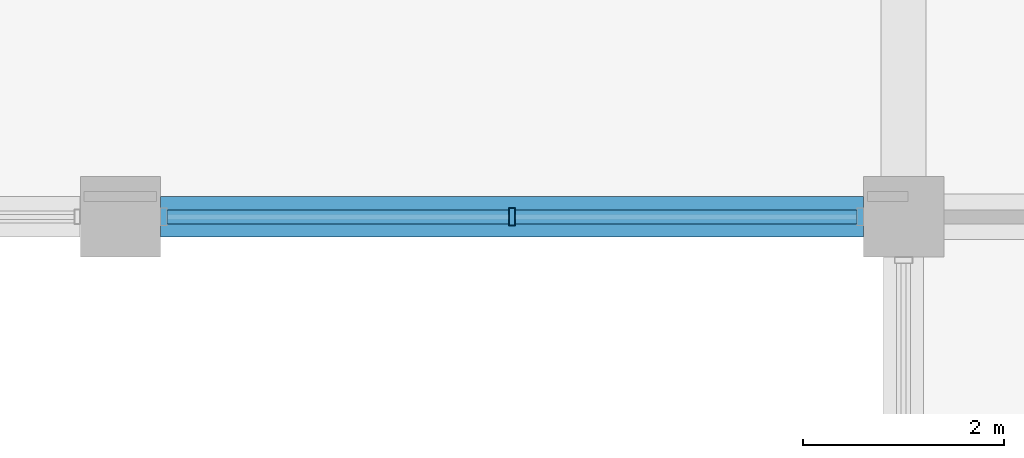
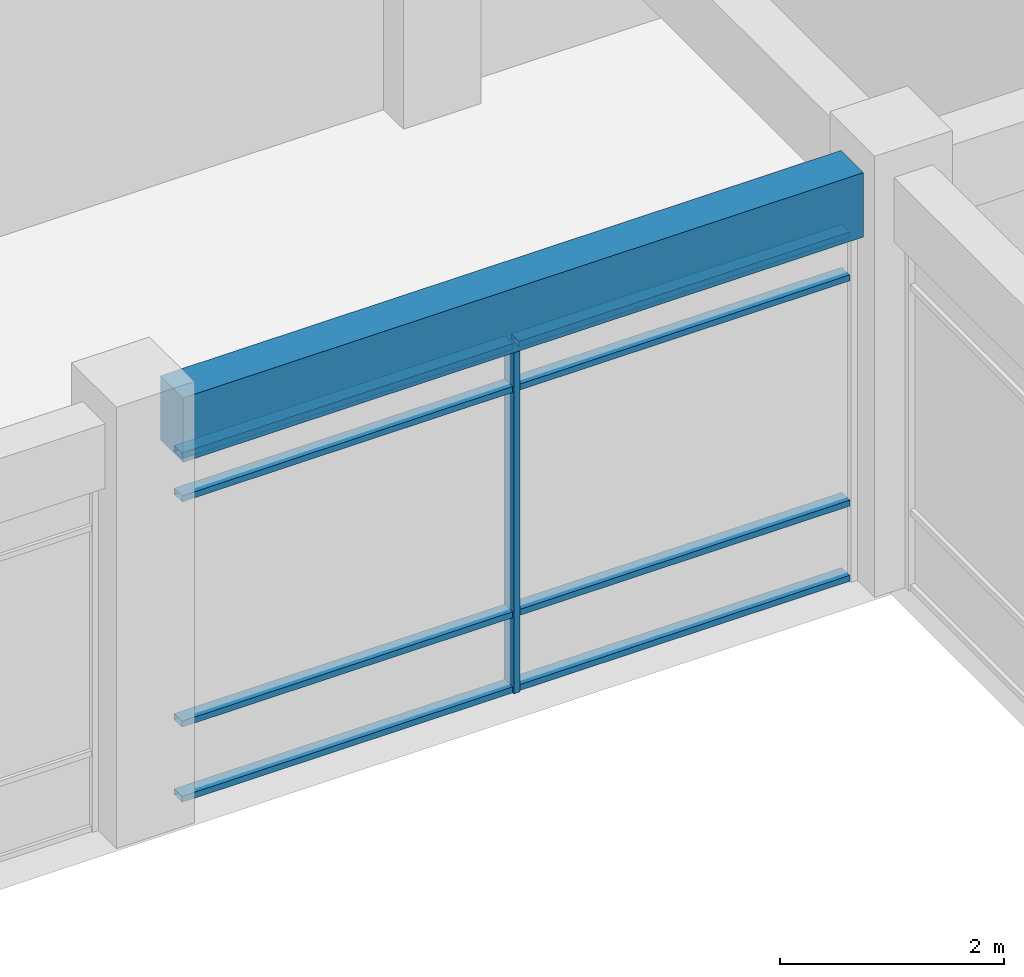
# One storey, part 18 of 62: 9 members, 1 beam, 1 element without a shape of its own.
"""IFC4 building model written with IfcOpenShell, lengths in metres."""

from ifc_helpers import new_model, si_unit, direction, frame, origin, origin_2d, place, context, subcontext, project, spatial, rectangle, hollow_rectangle, extrude, material, material_profile, profile_set, type_object, element, aggregate, save


model = new_model("IFC4")

# Units and contexts
model_context = context("Model", 3, precision=1e-05, world=origin(), true_north=direction((0.0, 1.0)))
body_context = subcontext(model_context, "Body", "Model", "MODEL_VIEW")
ifc_project = project(units=[si_unit("LENGTHUNIT", "METRE"), si_unit("AREAUNIT", "SQUARE_METRE"), si_unit("VOLUMEUNIT", "CUBIC_METRE"), si_unit("PLANEANGLEUNIT", "RADIAN"), si_unit("MASSUNIT", "GRAM", prefix="KILO"), si_unit("THERMODYNAMICTEMPERATUREUNIT", "KELVIN"), si_unit("POWERUNIT", "WATT")], contexts=[model_context])

# Site, building, storey
site_placement = place(None, origin())
site = spatial("IfcSite", under=ifc_project, at=site_placement, CompositionType="ELEMENT")
building_placement = place(site_placement, origin())
building = spatial("IfcBuilding", under=site, at=building_placement, Name="Srebrne Nadtorze General Hospital", CompositionType="ELEMENT")
storey_placement = place(building_placement, frame((0.0, 0.0, 9.60009765625)))
storey = spatial("IfcBuildingStorey", under=building, at=storey_placement, Name="L02", CompositionType="ELEMENT", Elevation=9.60009765625)

# Curtain wall, members
ifc_material_1 = material(Name="Anodised Aluminium", Category="aluminium")
curtain_wall_type = type_object("IfcCurtainWallType", Name="Unitised curtain wall 7000x3800", PredefinedType="NOTDEFINED", material=ifc_material_1)
curtain_wall_placement = place(storey_placement, origin())
curtain_wall = element("IfcCurtainWall", 1, at=curtain_wall_placement, inside=storey, type_object=curtain_wall_type, Name="Curtain wall CW-075", PredefinedType="NOTDEFINED")
ifc_material_2 = material(Name="Anodised Aluminium", Category="aluminium")
ifc_material_profile_1 = material_profile(ifc_material_2, hollow_rectangle(XDim=0.06494140625, YDim=0.179931640625, WallThickness=0.00390625, at=origin_2d()), Name="AL-MUL-65x180")
ifc_profile_set_1 = profile_set([ifc_material_profile_1], Name="Anodised Aluminium")
member_type_1 = type_object("IfcMemberType", Name="Curtain mullion 65x180", PredefinedType="MULLION", material=ifc_profile_set_1)
member_1_placement = place(storey_placement, frame((128.699951171875, 25.199951171875, 0.0), z_axis=(0.0, 0.0, 1.0), x_axis=(1.0, 0.0, 0.0)))
member_1 = element("IfcMember", 2, at=member_1_placement, type_object=member_type_1, Name="CW-075 mullion 2", PredefinedType="MULLION", context=body_context, shape_type="SweptSolid", body=[
    extrude(hollow_rectangle(XDim=0.06494140625, YDim=0.179931640625, WallThickness=0.00390625, at=origin_2d()), origin(), (0.0, 0.0, 1.0), 3.7998046875),
])
ifc_material_3 = material(Name="Anodised Aluminium", Category="aluminium")
ifc_material_profile_2 = material_profile(ifc_material_3, hollow_rectangle(XDim=0.06494140625, YDim=0.139892578125, WallThickness=0.00390625, at=origin_2d()), Name="AL-TRN-65x140")
ifc_profile_set_2 = profile_set([ifc_material_profile_2], Name="Anodised Aluminium")
member_type_2 = type_object("IfcMemberType", Name="Curtain transom 65x140", PredefinedType="USERDEFINED", material=ifc_profile_set_2)
member_2_placement = place(storey_placement, frame((125.264892578125, 25.199951171875, 0.032470703125), z_axis=(1.0, 0.0, 0.0), x_axis=(0.0, 0.0, 1.0)))
member_2 = element("IfcMember", 3, at=member_2_placement, type_object=member_type_2, Name="CW-075 transom 1.1", ObjectType="TRANSOM", PredefinedType="USERDEFINED", context=body_context, shape_type="SweptSolid", body=[
    extrude(hollow_rectangle(XDim=0.06494140625, YDim=0.139892578125, WallThickness=0.00390625, at=origin_2d()), origin(), (0.0, 0.0, 1.0), 3.402587890625),
])
member_3_placement = place(storey_placement, frame((125.264892578125, 25.199951171875, 0.849853515625), z_axis=(1.0, 0.0, 0.0), x_axis=(0.0, 0.0, 1.0)))
member_3 = element("IfcMember", 4, at=member_3_placement, type_object=member_type_2, Name="CW-075 transom 1.2", ObjectType="TRANSOM", PredefinedType="USERDEFINED", context=body_context, shape_type="SweptSolid", body=[
    extrude(hollow_rectangle(XDim=0.06494140625, YDim=0.139892578125, WallThickness=0.00390625, at=origin_2d()), origin(), (0.0, 0.0, 1.0), 3.402587890625),
])
member_4_placement = place(storey_placement, frame((125.264892578125, 25.199951171875, 3.2998046875), z_axis=(1.0, 0.0, 0.0), x_axis=(0.0, 0.0, 1.0)))
member_4 = element("IfcMember", 5, at=member_4_placement, type_object=member_type_2, Name="CW-075 transom 1.3", ObjectType="TRANSOM", PredefinedType="USERDEFINED", context=body_context, shape_type="SweptSolid", body=[
    extrude(hollow_rectangle(XDim=0.06494140625, YDim=0.139892578125, WallThickness=0.00390625, at=origin_2d()), origin(), (0.0, 0.0, 1.0), 3.402587890625),
])
member_5_placement = place(storey_placement, frame((125.264892578125, 25.199951171875, 3.767333984375), z_axis=(1.0, 0.0, 0.0), x_axis=(0.0, 0.0, 1.0)))
member_5 = element("IfcMember", 6, at=member_5_placement, type_object=member_type_2, Name="CW-075 transom 1.4", ObjectType="TRANSOM", PredefinedType="USERDEFINED", context=body_context, shape_type="SweptSolid", body=[
    extrude(hollow_rectangle(XDim=0.06494140625, YDim=0.139892578125, WallThickness=0.00390625, at=origin_2d()), origin(), (0.0, 0.0, 1.0), 3.402587890625),
])
member_6_placement = place(storey_placement, frame((128.732421875, 25.199951171875, 0.032470703125), z_axis=(1.0, 0.0, 0.0), x_axis=(0.0, 0.0, 1.0)))
member_6 = element("IfcMember", 7, at=member_6_placement, type_object=member_type_2, Name="CW-075 transom 2.1", ObjectType="TRANSOM", PredefinedType="USERDEFINED", context=body_context, shape_type="SweptSolid", body=[
    extrude(hollow_rectangle(XDim=0.06494140625, YDim=0.139892578125, WallThickness=0.00390625, at=origin_2d()), origin(), (0.0, 0.0, 1.0), 3.402587890625),
])
member_7_placement = place(storey_placement, frame((128.732421875, 25.199951171875, 0.849853515625), z_axis=(1.0, 0.0, 0.0), x_axis=(0.0, 0.0, 1.0)))
member_7 = element("IfcMember", 8, at=member_7_placement, type_object=member_type_2, Name="CW-075 transom 2.2", ObjectType="TRANSOM", PredefinedType="USERDEFINED", context=body_context, shape_type="SweptSolid", body=[
    extrude(hollow_rectangle(XDim=0.06494140625, YDim=0.139892578125, WallThickness=0.00390625, at=origin_2d()), origin(), (0.0, 0.0, 1.0), 3.402587890625),
])
member_8_placement = place(storey_placement, frame((128.732421875, 25.199951171875, 3.2998046875), z_axis=(1.0, 0.0, 0.0), x_axis=(0.0, 0.0, 1.0)))
member_8 = element("IfcMember", 9, at=member_8_placement, type_object=member_type_2, Name="CW-075 transom 2.3", ObjectType="TRANSOM", PredefinedType="USERDEFINED", context=body_context, shape_type="SweptSolid", body=[
    extrude(hollow_rectangle(XDim=0.06494140625, YDim=0.139892578125, WallThickness=0.00390625, at=origin_2d()), origin(), (0.0, 0.0, 1.0), 3.402587890625),
])
member_9_placement = place(storey_placement, frame((128.732421875, 25.199951171875, 3.767333984375), z_axis=(1.0, 0.0, 0.0), x_axis=(0.0, 0.0, 1.0)))
member_9 = element("IfcMember", 10, at=member_9_placement, type_object=member_type_2, Name="CW-075 transom 2.4", ObjectType="TRANSOM", PredefinedType="USERDEFINED", context=body_context, shape_type="SweptSolid", body=[
    extrude(hollow_rectangle(XDim=0.06494140625, YDim=0.139892578125, WallThickness=0.00390625, at=origin_2d()), origin(), (0.0, 0.0, 1.0), 3.402587890625),
])
aggregate(curtain_wall, [member_1, member_2, member_3, member_4, member_5, member_6, member_7, member_8, member_9])

# Beam
ifc_material_4 = material(Name="Concrete C40/50", Category="concrete")
ifc_material_profile_3 = material_profile(ifc_material_4, rectangle(XDim=0.39990234375, YDim=0.699951171875, at=origin_2d()), Name="RC-BM-400x700")
ifc_profile_set_3 = profile_set([ifc_material_profile_3], Name="Concrete C40/50")
beam_type = type_object("IfcBeamType", Name="Edge beam RC 400x700", PredefinedType="BEAM", material=ifc_profile_set_3)
beam_placement = place(storey_placement, frame((125.199951171875, 25.199951171875, 4.14990234375), z_axis=(1.0, 0.0, 0.0), x_axis=(0.0, 1.0, 0.0)))
element("IfcBeam", 11, at=beam_placement, inside=storey, type_object=beam_type, Name="Beam BM-L02-X-0572", PredefinedType="BEAM", context=body_context, shape_type="SweptSolid", body=[
    extrude(rectangle(XDim=0.39990234375, YDim=0.699951171875, at=origin_2d()), origin(), (0.0, 0.0, 1.0), 7.0),
])

save(model, "model.ifc")
